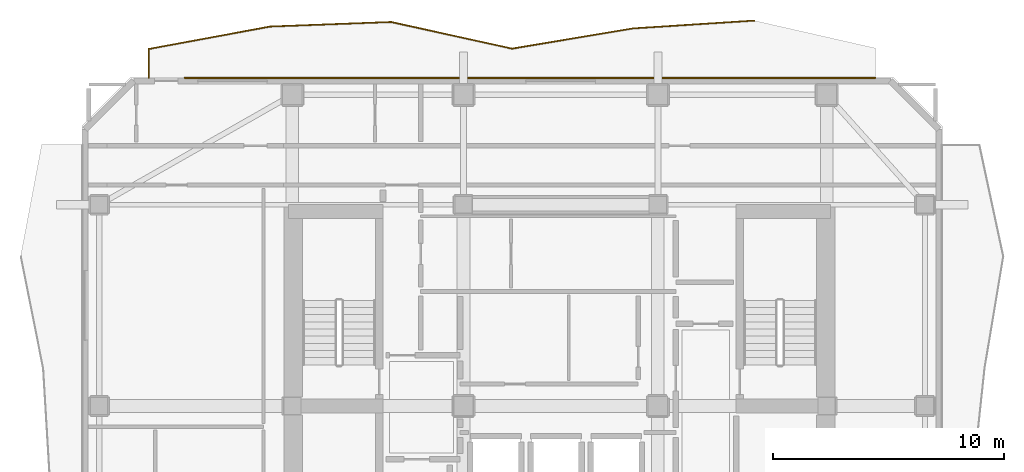
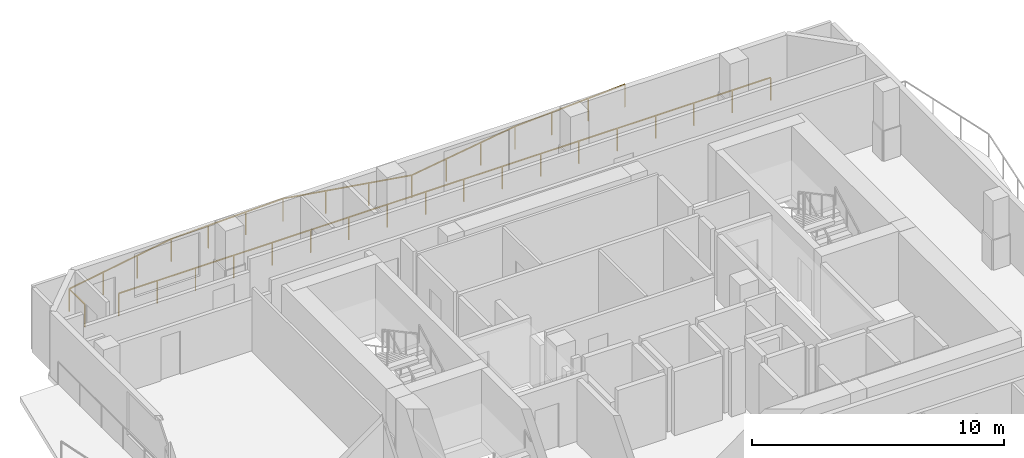
# One storey, part 10 of 10: 2 railings.
"""IFC4 building model written with IfcOpenShell, lengths in metres."""

from ifc_helpers import new_model, si_unit, direction, frame, origin, origin_2d, place, context, subcontext, project, spatial, rectangle, extrude, material, type_object, element, save


model = new_model("IFC4")

# Units and contexts
model_context = context("Model", 3, precision=1e-05, world=origin(), true_north=direction((0.0, 1.0)))
body_context = subcontext(model_context, "Body", "Model", "MODEL_VIEW")
ifc_project = project(units=[si_unit("LENGTHUNIT", "METRE"), si_unit("AREAUNIT", "SQUARE_METRE"), si_unit("VOLUMEUNIT", "CUBIC_METRE"), si_unit("PLANEANGLEUNIT", "RADIAN"), si_unit("MASSUNIT", "GRAM", prefix="KILO")], contexts=[model_context])

# Site, building, storey
site_placement = place(None, origin())
site = spatial("IfcSite", under=ifc_project, at=site_placement, CompositionType="ELEMENT")
building_placement = place(site_placement, origin())
building = spatial("IfcBuilding", under=site, at=building_placement, Name="Solanera Arch Residences", CompositionType="ELEMENT")
storey_placement = place(building_placement, frame((0.0, 0.0, 200.1201171875)))
storey = spatial("IfcBuildingStorey", under=building, at=storey_placement, Name="L58", CompositionType="ELEMENT", Elevation=200.1201171875)

# Railings
ifc_material = material(Name="Steel S355 (ASTM A992 / A572 Grade 50)", Category="steel")
railing_type = type_object("IfcRailingType", Name="Balustrade Railing BL-1100", PredefinedType="BALUSTRADE", material=ifc_material)
railing_1_placement = place(storey_placement, frame((33.366943359375, 47.361083984375, 0.0)))
element("IfcRailing", 1, at=railing_1_placement, inside=storey, type_object=railing_type, Name="L58 N Balcony Balustrade 1", PredefinedType="BALUSTRADE", context=body_context, shape_type="SweptSolid", body=[
    extrude(rectangle(XDim=0.048095703125, YDim=0.048095703125, at=origin_2d()), frame((0.0, 0.0, 1.09619140625), z_axis=(-0.997931575173, -0.064285078147, 0.0), x_axis=(0.064285078147, -0.997931575173, 0.0)), (0.0, 0.0, 1.0), 5.24462890625),
    extrude(rectangle(XDim=0.048095703125, YDim=0.048095703125, at=origin_2d()), frame((-5.23388671875, -0.337158203125, 1.09619140625), z_axis=(-0.986278026699, -0.165092864931, 0.0), x_axis=(0.165092864931, -0.986278026699, 0.0)), (0.0, 0.0, 1.0), 5.305908203125),
    extrude(rectangle(XDim=0.048095703125, YDim=0.048095703125, at=origin_2d()), frame((-10.467041015625, -1.213134765625, 1.09619140625), z_axis=(-0.976572514363, 0.215188578209, 0.0), x_axis=(-0.215188578209, -0.976572514363, 0.0)), (0.0, 0.0, 1.0), 5.3583984375),
    extrude(rectangle(XDim=0.048095703125, YDim=0.048095703125, at=origin_2d()), frame((-15.699951171875, -0.06005859375, 1.09619140625), z_axis=(-0.999285211852, -0.037802981006, 0.0), x_axis=(0.037802981006, -0.999285211852, 0.0)), (0.0, 0.0, 1.0), 5.237548828125),
    extrude(rectangle(XDim=0.048095703125, YDim=0.048095703125, at=origin_2d()), frame((-20.933837890625, -0.258056640625, 1.09619140625), z_axis=(-0.98328565515, -0.182069548183, 0.0), x_axis=(0.182069548183, -0.98328565515, 0.0)), (0.0, 0.0, 1.0), 5.322021484375),
    extrude(rectangle(XDim=0.048095703125, YDim=0.048095703125, at=origin_2d()), frame((-26.1669921875, -1.22705078125, 1.09619140625), z_axis=(0.0, -1.0, 0.0), x_axis=(1.0, 0.0, 0.0)), (0.0, 0.0, 1.0), 1.254150390625),
    extrude(rectangle(XDim=0.0419921875, YDim=0.0419921875, at=origin_2d()), origin(), (0.0, 0.0, 1.0), 1.072021484375),
    extrude(rectangle(XDim=0.0419921875, YDim=0.0419921875, at=origin_2d()), frame((-1.74462890625, -0.1123046875, 0.0)), (0.0, 0.0, 1.0), 1.072021484375),
    extrude(rectangle(XDim=0.0419921875, YDim=0.0419921875, at=origin_2d()), frame((-3.4892578125, -0.224853515625, 0.0)), (0.0, 0.0, 1.0), 1.072021484375),
    extrude(rectangle(XDim=0.0419921875, YDim=0.0419921875, at=origin_2d()), frame((-5.23388671875, -0.337158203125, 0.0)), (0.0, 0.0, 1.0), 1.072021484375),
    extrude(rectangle(XDim=0.0419921875, YDim=0.0419921875, at=origin_2d()), frame((-6.978271484375, -0.629150390625, 0.0)), (0.0, 0.0, 1.0), 1.072021484375),
    extrude(rectangle(XDim=0.0419921875, YDim=0.0419921875, at=origin_2d()), frame((-8.72265625, -0.921142578125, 0.0)), (0.0, 0.0, 1.0), 1.072021484375),
    extrude(rectangle(XDim=0.0419921875, YDim=0.0419921875, at=origin_2d()), frame((-10.467041015625, -1.213134765625, 0.0)), (0.0, 0.0, 1.0), 1.072021484375),
    extrude(rectangle(XDim=0.0419921875, YDim=0.0419921875, at=origin_2d()), frame((-12.21142578125, -0.828857421875, 0.0)), (0.0, 0.0, 1.0), 1.072021484375),
    extrude(rectangle(XDim=0.0419921875, YDim=0.0419921875, at=origin_2d()), frame((-13.95556640625, -0.4443359375, 0.0)), (0.0, 0.0, 1.0), 1.072021484375),
    extrude(rectangle(XDim=0.0419921875, YDim=0.0419921875, at=origin_2d()), frame((-15.699951171875, -0.06005859375, 0.0)), (0.0, 0.0, 1.0), 1.072021484375),
    extrude(rectangle(XDim=0.0419921875, YDim=0.0419921875, at=origin_2d()), frame((-17.444580078125, -0.1259765625, 0.0)), (0.0, 0.0, 1.0), 1.072021484375),
    extrude(rectangle(XDim=0.0419921875, YDim=0.0419921875, at=origin_2d()), frame((-19.189208984375, -0.192138671875, 0.0)), (0.0, 0.0, 1.0), 1.072021484375),
    extrude(rectangle(XDim=0.0419921875, YDim=0.0419921875, at=origin_2d()), frame((-20.933837890625, -0.258056640625, 0.0)), (0.0, 0.0, 1.0), 1.072021484375),
    extrude(rectangle(XDim=0.0419921875, YDim=0.0419921875, at=origin_2d()), frame((-22.67822265625, -0.5810546875, 0.0)), (0.0, 0.0, 1.0), 1.072021484375),
    extrude(rectangle(XDim=0.0419921875, YDim=0.0419921875, at=origin_2d()), frame((-24.422607421875, -0.904052734375, 0.0)), (0.0, 0.0, 1.0), 1.072021484375),
    extrude(rectangle(XDim=0.0419921875, YDim=0.0419921875, at=origin_2d()), frame((-26.1669921875, -1.22705078125, 0.0)), (0.0, 0.0, 1.0), 1.072021484375),
    extrude(rectangle(XDim=0.0419921875, YDim=0.0419921875, at=origin_2d()), frame((-26.1669921875, -2.481201171875, 0.0)), (0.0, 0.0, 1.0), 1.072021484375),
])
railing_2_placement = place(storey_placement, frame((8.751953125, 44.8798828125, 0.0)))
element("IfcRailing", 2, at=railing_2_placement, inside=storey, type_object=railing_type, Name="L58 N Balcony Balustrade 2", PredefinedType="BALUSTRADE", context=body_context, shape_type="SweptSolid", body=[
    extrude(rectangle(XDim=0.048095703125, YDim=0.048095703125, at=origin_2d()), frame((0.0, 0.0, 1.09619140625), z_axis=(1.0, 0.0, 0.0), x_axis=(0.0, 1.0, 0.0)), (0.0, 0.0, 1.0), 29.84814453125),
    extrude(rectangle(XDim=0.0419921875, YDim=0.0419921875, at=origin_2d()), origin(), (0.0, 0.0, 1.0), 1.072021484375),
    extrude(rectangle(XDim=0.0419921875, YDim=0.0419921875, at=origin_2d()), frame((1.755859375, 0.0, 0.0)), (0.0, 0.0, 1.0), 1.072021484375),
    extrude(rectangle(XDim=0.0419921875, YDim=0.0419921875, at=origin_2d()), frame((3.511474609375, 0.0, 0.0)), (0.0, 0.0, 1.0), 1.072021484375),
    extrude(rectangle(XDim=0.0419921875, YDim=0.0419921875, at=origin_2d()), frame((5.267333984375, 0.0, 0.0)), (0.0, 0.0, 1.0), 1.072021484375),
    extrude(rectangle(XDim=0.0419921875, YDim=0.0419921875, at=origin_2d()), frame((7.023193359375, 0.0, 0.0)), (0.0, 0.0, 1.0), 1.072021484375),
    extrude(rectangle(XDim=0.0419921875, YDim=0.0419921875, at=origin_2d()), frame((8.77880859375, 0.0, 0.0)), (0.0, 0.0, 1.0), 1.072021484375),
    extrude(rectangle(XDim=0.0419921875, YDim=0.0419921875, at=origin_2d()), frame((10.53466796875, 0.0, 0.0)), (0.0, 0.0, 1.0), 1.072021484375),
    extrude(rectangle(XDim=0.0419921875, YDim=0.0419921875, at=origin_2d()), frame((12.29052734375, 0.0, 0.0)), (0.0, 0.0, 1.0), 1.072021484375),
    extrude(rectangle(XDim=0.0419921875, YDim=0.0419921875, at=origin_2d()), frame((14.046142578125, 0.0, 0.0)), (0.0, 0.0, 1.0), 1.072021484375),
    extrude(rectangle(XDim=0.0419921875, YDim=0.0419921875, at=origin_2d()), frame((15.802001953125, 0.0, 0.0)), (0.0, 0.0, 1.0), 1.072021484375),
    extrude(rectangle(XDim=0.0419921875, YDim=0.0419921875, at=origin_2d()), frame((17.5576171875, 0.0, 0.0)), (0.0, 0.0, 1.0), 1.072021484375),
    extrude(rectangle(XDim=0.0419921875, YDim=0.0419921875, at=origin_2d()), frame((19.3134765625, 0.0, 0.0)), (0.0, 0.0, 1.0), 1.072021484375),
    extrude(rectangle(XDim=0.0419921875, YDim=0.0419921875, at=origin_2d()), frame((21.0693359375, 0.0, 0.0)), (0.0, 0.0, 1.0), 1.072021484375),
    extrude(rectangle(XDim=0.0419921875, YDim=0.0419921875, at=origin_2d()), frame((22.824951171875, 0.0, 0.0)), (0.0, 0.0, 1.0), 1.072021484375),
    extrude(rectangle(XDim=0.0419921875, YDim=0.0419921875, at=origin_2d()), frame((24.580810546875, 0.0, 0.0)), (0.0, 0.0, 1.0), 1.072021484375),
    extrude(rectangle(XDim=0.0419921875, YDim=0.0419921875, at=origin_2d()), frame((26.336669921875, 0.0, 0.0)), (0.0, 0.0, 1.0), 1.072021484375),
    extrude(rectangle(XDim=0.0419921875, YDim=0.0419921875, at=origin_2d()), frame((28.09228515625, 0.0, 0.0)), (0.0, 0.0, 1.0), 1.072021484375),
    extrude(rectangle(XDim=0.0419921875, YDim=0.0419921875, at=origin_2d()), frame((29.84814453125, 0.0, 0.0)), (0.0, 0.0, 1.0), 1.072021484375),
])

save(model, "model.ifc")
